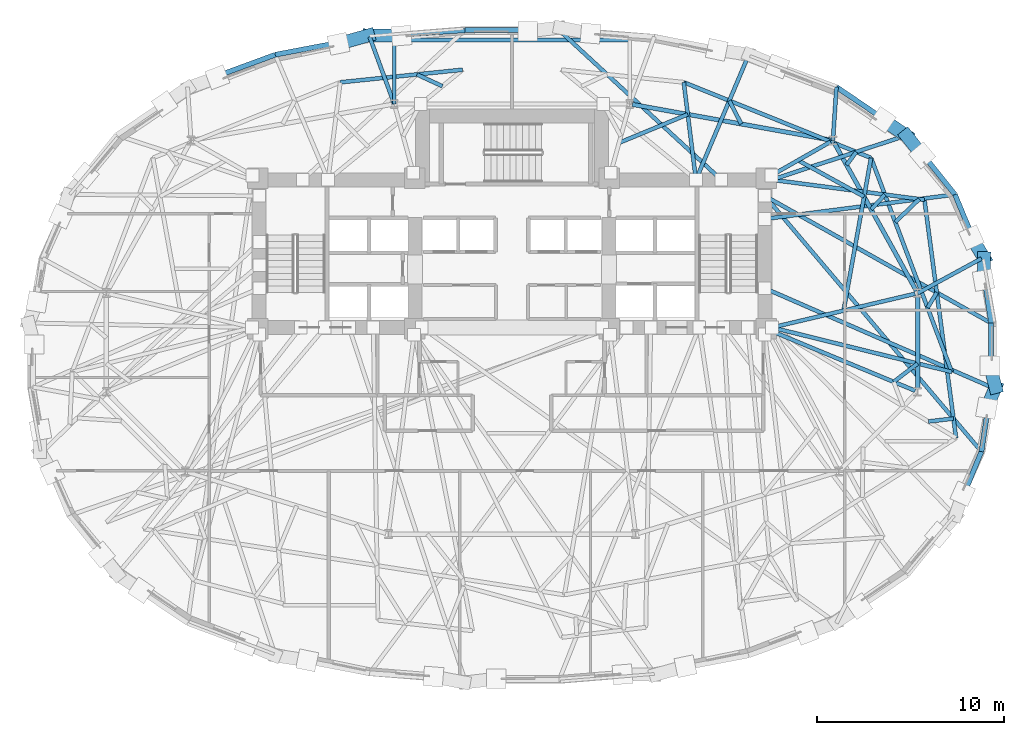
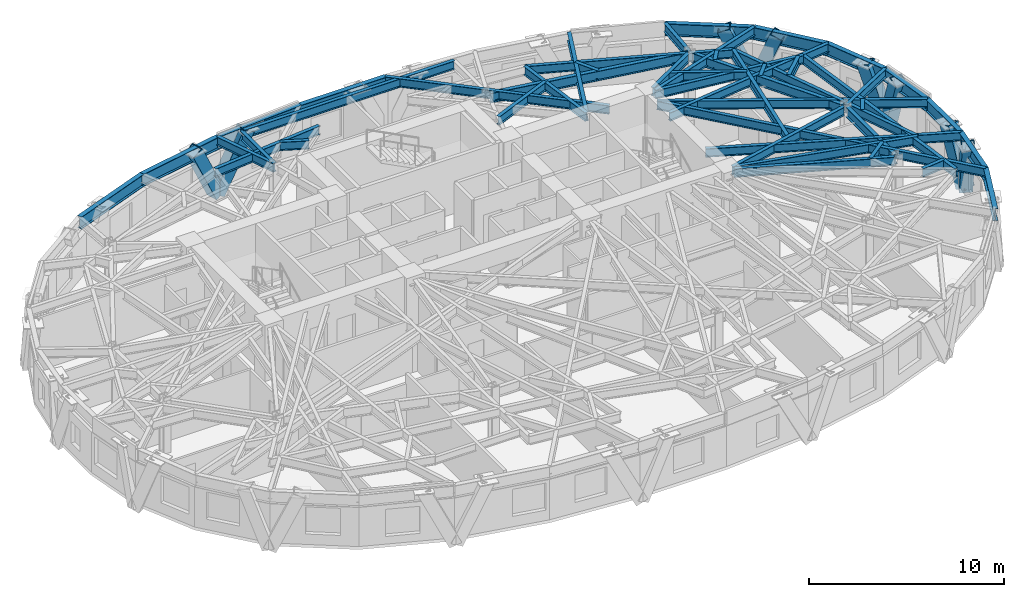
# One storey, part 4 of 14: 47 beams, 8 members.
"""IFC4 building model written with IfcOpenShell, lengths in metres."""

from ifc_helpers import new_model, si_unit, direction, frame, origin, origin_2d, place, context, subcontext, project, spatial, hollow_rectangle, i_section, extrude, material, material_profile, profile_set, type_object, element, save


model = new_model("IFC4")

# Units and contexts
model_context = context("Model", 3, precision=1e-05, world=origin(), true_north=direction((0.0, 1.0)))
body_context = subcontext(model_context, "Body", "Model", "MODEL_VIEW")
ifc_project = project(units=[si_unit("LENGTHUNIT", "METRE"), si_unit("AREAUNIT", "SQUARE_METRE"), si_unit("VOLUMEUNIT", "CUBIC_METRE"), si_unit("PLANEANGLEUNIT", "RADIAN"), si_unit("MASSUNIT", "GRAM", prefix="KILO")], contexts=[model_context])

# Site, building, storey
site_placement = place(None, origin())
site = spatial("IfcSite", under=ifc_project, at=site_placement, CompositionType="ELEMENT")
building_placement = place(site_placement, origin())
building = spatial("IfcBuilding", under=site, at=building_placement, Name="Keldmark Tower", CompositionType="ELEMENT")
storey_placement = place(building_placement, frame((0.0, 0.0, 124.60009765625)))
storey = spatial("IfcBuildingStorey", under=building, at=storey_placement, Name="L33", CompositionType="ELEMENT", Elevation=124.60009765625)

# Members
ifc_material_1 = material(Name="Steel ASTM A572 Grade 50", Category="steel")
ifc_material_profile_1 = material_profile(ifc_material_1, hollow_rectangle(XDim=0.699951171875, YDim=0.699951171875, WallThickness=0.044921875, at=origin_2d()), Name="BOX700X700X45")
ifc_profile_set_1 = profile_set([ifc_material_profile_1], Name="Steel ASTM A572 Grade 50")
member_type = type_object("IfcMemberType", Name="Diagrid Zone 2 Brace BOX700X700X45", PredefinedType="BRACE", material=ifc_profile_set_1)
member_1_placement = place(storey_placement, frame((25.2529296875, 5.2001953125, -0.27001953125), z_axis=(-0.008138331931, -0.325866815426, 0.94538065675), x_axis=(0.999688285196, -0.02496662657, 0.0)))
element("IfcMember", 1, at=member_1_placement, inside=storey, type_object=member_type, Name="L33 Perimeter Diagrid Brace 01A", PredefinedType="BRACE", context=body_context, shape_type="SweptSolid", body=[
    extrude(hollow_rectangle(XDim=0.699951171875, YDim=0.699951171875, WallThickness=0.044921875, at=origin_2d()), origin(), (0.0, 0.0, 1.0), 3.659912109375),
])
member_2_placement = place(storey_placement, frame((25.25537109375, 5.188720703125, -0.27001953125), z_axis=(-0.182553399139, 0.297731965347, 0.937032514523), x_axis=(-0.852508727076, -0.52271299033, 0.0)))
element("IfcMember", 2, at=member_2_placement, inside=storey, type_object=member_type, Name="L33 Perimeter Diagrid Brace 01B", PredefinedType="BRACE", context=body_context, shape_type="SweptSolid", body=[
    extrude(hollow_rectangle(XDim=0.699951171875, YDim=0.699951171875, WallThickness=0.044921875, at=origin_2d()), origin(), (0.0, 0.0, 1.0), 3.6923828125),
])
member_3_placement = place(storey_placement, frame((21.100341796875, 11.74169921875, -0.27001953125), z_axis=(0.226834492266, -0.28602298851, 0.93098709076), x_axis=(0.783512784352, 0.621375664761, 0.0)))
element("IfcMember", 3, at=member_3_placement, inside=storey, type_object=member_type, Name="L33 Perimeter Diagrid Brace 02A", PredefinedType="BRACE", context=body_context, shape_type="SweptSolid", body=[
    extrude(hollow_rectangle(XDim=0.699951171875, YDim=0.699951171875, WallThickness=0.044921875, at=origin_2d()), origin(), (0.0, 0.0, 1.0), 3.716552734375),
])
member_4_placement = place(storey_placement, frame((21.10693359375, 11.73193359375, -0.27001953125), z_axis=(-0.335688089011, 0.225727976809, 0.914527412045), x_axis=(-0.558008953793, -0.829834927854, 0.0)))
element("IfcMember", 4, at=member_4_placement, inside=storey, type_object=member_type, Name="L33 Perimeter Diagrid Brace 02B", PredefinedType="BRACE", context=body_context, shape_type="SweptSolid", body=[
    extrude(hollow_rectangle(XDim=0.699951171875, YDim=0.699951171875, WallThickness=0.044921875, at=origin_2d()), origin(), (0.0, 0.0, 1.0), 3.783447265625),
])
member_5_placement = place(storey_placement, frame((-7.672607421875, 17.102294921875, -0.27001953125), z_axis=(0.453185587123, -0.005157698563, 0.891401268661), x_axis=(0.011380248427, 0.999935242876, 0.0)))
element("IfcMember", 5, at=member_5_placement, inside=storey, type_object=member_type, Name="L33 Perimeter Diagrid Brace 05A", PredefinedType="BRACE", context=body_context, shape_type="SweptSolid", body=[
    extrude(hollow_rectangle(XDim=0.699951171875, YDim=0.699951171875, WallThickness=0.044921875, at=origin_2d()), origin(), (0.0, 0.0, 1.0), 3.881591796875),
])
member_6_placement = place(storey_placement, frame((-7.6611328125, 17.1044921875, -0.27001953125), z_axis=(-0.421325777377, -0.118638639315, 0.899115933893), x_axis=(0.271043582682, -0.962567076253, 0.0)))
element("IfcMember", 6, at=member_6_placement, inside=storey, type_object=member_type, Name="L33 Perimeter Diagrid Brace 05B", PredefinedType="BRACE", context=body_context, shape_type="SweptSolid", body=[
    extrude(hollow_rectangle(XDim=0.699951171875, YDim=0.699951171875, WallThickness=0.044921875, at=origin_2d()), origin(), (0.0, 0.0, 1.0), 3.84814453125),
])
member_7_placement = place(storey_placement, frame((25.86767578125, -1.7138671875, -0.27001953125), z_axis=(-0.128175440541, -0.308166484705, 0.94265819582), x_axis=(0.923318485123, -0.384035122131, 0.0)))
element("IfcMember", 7, at=member_7_placement, inside=storey, type_object=member_type, Name="L33 Perimeter Diagrid Brace 16A", PredefinedType="BRACE", context=body_context, shape_type="SweptSolid", body=[
    extrude(hollow_rectangle(XDim=0.699951171875, YDim=0.699951171875, WallThickness=0.044921875, at=origin_2d()), origin(), (0.0, 0.0, 1.0), 3.67041015625),
])
member_8_placement = place(storey_placement, frame((25.865478515625, -1.725341796875, -0.27001953125), z_axis=(-0.081542151597, 0.317034285237, 0.944902185148), x_axis=(-0.9684788952, -0.249095623308, 0.0)))
element("IfcMember", 8, at=member_8_placement, inside=storey, type_object=member_type, Name="L33 Perimeter Diagrid Brace 16B", PredefinedType="BRACE", context=body_context, shape_type="SweptSolid", body=[
    extrude(hollow_rectangle(XDim=0.699951171875, YDim=0.699951171875, WallThickness=0.044921875, at=origin_2d()), origin(), (0.0, 0.0, 1.0), 3.66162109375),
])

# Beams
ifc_material_2 = material(Name="Steel ASTM A992 Grade 50", Category="steel")
ifc_material_profile_2 = material_profile(ifc_material_2, i_section(OverallWidth=0.22900390625, OverallDepth=0.612060546875, WebThickness=0.011962890625, FlangeThickness=0.01953125, at=origin_2d()), Name="W24X84")
ifc_profile_set_2 = profile_set([ifc_material_profile_2], Name="Steel ASTM A992 Grade 50")
beam_type_1 = type_object("IfcBeamType", Name="Primary Floor Girder W24X84", PredefinedType="BEAM", material=ifc_profile_set_2)
beam_1_placement = place(storey_placement, frame((21.62890625, 3.432373046875, 3.00390625), z_axis=(-0.484951836703, 0.874540860154, 0.0), x_axis=(-0.874540860154, -0.484951836703, 0.0)))
element("IfcBeam", 9, at=beam_1_placement, inside=storey, type_object=beam_type_1, Name="L33 Floor Ring Girder FG-R01", PredefinedType="BEAM", context=body_context, shape_type="SweptSolid", body=[
    extrude(i_section(OverallWidth=0.22900390625, OverallDepth=0.612060546875, WebThickness=0.011962890625, FlangeThickness=0.01953125, at=origin_2d()), origin(), (0.0, 0.0, 1.0), 9.060302734375),
])
beam_2_placement = place(storey_placement, frame((17.029296875, 11.503173828125, 3.00390625), z_axis=(-0.984218266992, 0.176958760505, 0.0), x_axis=(-0.176958760505, -0.984218266992, 0.0)))
element("IfcBeam", 10, at=beam_2_placement, inside=storey, type_object=beam_type_1, Name="L33 Floor Ring Girder FG-R02", PredefinedType="BEAM", context=body_context, shape_type="SweptSolid", body=[
    extrude(i_section(OverallWidth=0.22900390625, OverallDepth=0.612060546875, WebThickness=0.011962890625, FlangeThickness=0.01953125, at=origin_2d()), origin(), (0.0, 0.0, 1.0), 10.7626953125),
])
beam_3_placement = place(storey_placement, frame((21.697021484375, -1.825927734375, 3.00390625), z_axis=(0.0, 1.0, 0.0), x_axis=(-1.0, 0.0, 0.0)))
element("IfcBeam", 11, at=beam_3_placement, inside=storey, type_object=beam_type_1, Name="L33 Floor Ring Girder FG-R12", PredefinedType="BEAM", context=body_context, shape_type="SweptSolid", body=[
    extrude(i_section(OverallWidth=0.22900390625, OverallDepth=0.612060546875, WebThickness=0.011962890625, FlangeThickness=0.01953125, at=origin_2d()), origin(), (0.0, 0.0, 1.0), 4.995849609375),
])
ifc_material_3 = material(Name="Steel ASTM A992 Grade 50", Category="steel")
ifc_material_profile_3 = material_profile(ifc_material_3, i_section(OverallWidth=0.2099609375, OverallDepth=0.537109375, WebThickness=0.010986328125, FlangeThickness=0.017333984375, at=origin_2d()), Name="W21X68")
ifc_profile_set_3 = profile_set([ifc_material_profile_3], Name="Steel ASTM A992 Grade 50")
beam_type_2 = type_object("IfcBeamType", Name="Radial Tie Girder W21X68", PredefinedType="BEAM", material=ifc_profile_set_3)
beam_4_placement = place(storey_placement, frame((21.560546875, 3.27783203125, 3.04150390625), z_axis=(-0.973283778272, -0.229605502879, 0.0), x_axis=(0.229605502879, -0.973283778272, 0.0)))
element("IfcBeam", 12, at=beam_4_placement, inside=storey, type_object=beam_type_2, Name="L33 Floor Radial Girder FG-C01", PredefinedType="BEAM", context=body_context, shape_type="SweptSolid", body=[
    extrude(i_section(OverallWidth=0.2099609375, OverallDepth=0.537109375, WebThickness=0.010986328125, FlangeThickness=0.017333984375, at=origin_2d()), origin(), (0.0, 0.0, 1.0), 7.85888671875),
])
beam_5_placement = place(storey_placement, frame((17.04541015625, 11.4091796875, 3.04150390625), z_axis=(-0.86928447329, -0.494312152892, 0.0), x_axis=(0.494312152892, -0.86928447329, 0.0)))
element("IfcBeam", 13, at=beam_5_placement, inside=storey, type_object=beam_type_2, Name="L33 Floor Radial Girder FG-C02", PredefinedType="BEAM", context=body_context, shape_type="SweptSolid", body=[
    extrude(i_section(OverallWidth=0.2099609375, OverallDepth=0.537109375, WebThickness=0.010986328125, FlangeThickness=0.017333984375, at=origin_2d()), origin(), (0.0, 0.0, 1.0), 3.6435546875),
])
beam_6_placement = place(storey_placement, frame((21.567626953125, -1.912109375, 3.04150390625), z_axis=(-0.923397393633, 0.383845350932, 0.0), x_axis=(-0.383845350932, -0.923397393633, 0.0)))
element("IfcBeam", 14, at=beam_6_placement, inside=storey, type_object=beam_type_2, Name="L33 Floor Radial Girder FG-C12", PredefinedType="BEAM", context=body_context, shape_type="SweptSolid", body=[
    extrude(i_section(OverallWidth=0.2099609375, OverallDepth=0.537109375, WebThickness=0.010986328125, FlangeThickness=0.017333984375, at=origin_2d()), origin(), (0.0, 0.0, 1.0), 8.30859375),
])
beam_7_placement = place(storey_placement, frame((15.303466796875, 10.418701171875, 3.04150390625), z_axis=(0.875866476155, -0.482553536873, 0.0), x_axis=(0.482553536873, 0.875866476155, 0.0)))
element("IfcBeam", 15, at=beam_7_placement, inside=storey, type_object=beam_type_2, Name="L33 Framing Pin Header PH-001", PredefinedType="BEAM", context=body_context, shape_type="SweptSolid", body=[
    extrude(i_section(OverallWidth=0.2099609375, OverallDepth=0.537109375, WebThickness=0.010986328125, FlangeThickness=0.017333984375, at=origin_2d()), origin(), (0.0, 0.0, 1.0), 4.02978515625),
])
beam_8_placement = place(storey_placement, frame((17.736083984375, 2.375732421875, 3.04150390625), z_axis=(0.177042471135, 0.984203212459, 0.0), x_axis=(-0.984203212459, 0.177042471135, 0.0)))
element("IfcBeam", 16, at=beam_8_placement, inside=storey, type_object=beam_type_2, Name="L33 Sub-Ring Step Girder STP1-M01", PredefinedType="BEAM", context=body_context, shape_type="SweptSolid", body=[
    extrude(i_section(OverallWidth=0.2099609375, OverallDepth=0.537109375, WebThickness=0.010986328125, FlangeThickness=0.017333984375, at=origin_2d()), origin(), (0.0, 0.0, 1.0), 8.301513671875),
])
beam_9_placement = place(storey_placement, frame((5.724609375, 11.35107421875, 3.04150390625), z_axis=(0.923882292998, 0.382676767893, 0.0), x_axis=(-0.382676767893, 0.923882292998, 0.0)))
element("IfcBeam", 17, at=beam_9_placement, inside=storey, type_object=beam_type_2, Name="L33 Framing Pin Header PH-002", PredefinedType="BEAM", context=body_context, shape_type="SweptSolid", body=[
    extrude(i_section(OverallWidth=0.2099609375, OverallDepth=0.537109375, WebThickness=0.010986328125, FlangeThickness=0.017333984375, at=origin_2d()), origin(), (0.0, 0.0, 1.0), 3.98095703125),
])
beam_10_placement = place(storey_placement, frame((9.83935546875, 9.375, 3.04150390625), z_axis=(-0.123828856839, 0.992303589741, 0.0), x_axis=(-0.992303589741, -0.123828856839, 0.0)))
element("IfcBeam", 18, at=beam_10_placement, inside=storey, type_object=beam_type_2, Name="L33 Sub-Ring Step Girder STP1-M02", PredefinedType="BEAM", context=body_context, shape_type="SweptSolid", body=[
    extrude(i_section(OverallWidth=0.2099609375, OverallDepth=0.537109375, WebThickness=0.010986328125, FlangeThickness=0.017333984375, at=origin_2d()), origin(), (0.0, 0.0, 1.0), 5.25439453125),
])
beam_11_placement = place(storey_placement, frame((20.416748046875, -1.433837890625, 3.04150390625), z_axis=(0.793489446427, 0.608584010971, 0.0), x_axis=(-0.608584010971, 0.793489446427, 0.0)))
element("IfcBeam", 19, at=beam_11_placement, inside=storey, type_object=beam_type_2, Name="L33 Framing Pin Header PH-008", PredefinedType="BEAM", context=body_context, shape_type="SweptSolid", body=[
    extrude(i_section(OverallWidth=0.2099609375, OverallDepth=0.537109375, WebThickness=0.010986328125, FlangeThickness=0.017333984375, at=origin_2d()), origin(), (0.0, 0.0, 1.0), 1.613525390625),
])
beam_12_placement = place(storey_placement, frame((13.89990234375, 1.47509765625, 3.04150390625), z_axis=(0.970797871066, -0.239898923579, 0.0), x_axis=(0.239898923579, 0.970797871066, 0.0)))
element("IfcBeam", 20, at=beam_12_placement, inside=storey, type_object=beam_type_2, Name="L33 Sub-Ring Step Girder STP1-M12", PredefinedType="BEAM", context=body_context, shape_type="SweptSolid", body=[
    extrude(i_section(OverallWidth=0.2099609375, OverallDepth=0.537109375, WebThickness=0.010986328125, FlangeThickness=0.017333984375, at=origin_2d()), origin(), (0.0, 0.0, 1.0), 9.916259765625),
])
beam_13_placement = place(storey_placement, frame((19.205810546875, 10.546142578125, 3.04150390625), z_axis=(-0.927326627056, 0.374253025041, 0.0), x_axis=(-0.374253025041, -0.927326627056, 0.0)))
element("IfcBeam", 21, at=beam_13_placement, inside=storey, type_object=beam_type_2, Name="L33 Perimeter Collector Ring Beam CRG1-M01", PredefinedType="BEAM", context=body_context, shape_type="SweptSolid", body=[
    extrude(i_section(OverallWidth=0.2099609375, OverallDepth=0.537109375, WebThickness=0.010986328125, FlangeThickness=0.017333984375, at=origin_2d()), origin(), (0.0, 0.0, 1.0), 10.802001953125),
])
beam_14_placement = place(storey_placement, frame((-2.642578125, 15.261962890625, 3.04150390625), z_axis=(-0.994755240568, -0.102283974126, 0.0), x_axis=(0.102283974126, -0.994755240568, 0.0)))
element("IfcBeam", 22, at=beam_14_placement, inside=storey, type_object=beam_type_2, Name="L33 Perimeter Collector Ring Beam CRG1-M04", PredefinedType="BEAM", context=body_context, shape_type="SweptSolid", body=[
    extrude(i_section(OverallWidth=0.2099609375, OverallDepth=0.537109375, WebThickness=0.010986328125, FlangeThickness=0.017333984375, at=origin_2d()), origin(), (0.0, 0.0, 1.0), 6.58056640625),
])
beam_15_placement = place(storey_placement, frame((23.526611328125, -0.90380859375, 3.04150390625), z_axis=(-0.353061865189, 0.935599978275, 0.0), x_axis=(-0.935599978275, -0.353061865189, 0.0)))
element("IfcBeam", 23, at=beam_15_placement, inside=storey, type_object=beam_type_2, Name="L33 Perimeter Collector Ring Beam CRG1-M12", PredefinedType="BEAM", context=body_context, shape_type="SweptSolid", body=[
    extrude(i_section(OverallWidth=0.2099609375, OverallDepth=0.537109375, WebThickness=0.010986328125, FlangeThickness=0.017333984375, at=origin_2d()), origin(), (0.0, 0.0, 1.0), 12.238037109375),
])
beam_16_placement = place(storey_placement, frame((19.21240234375, 7.790283203125, 3.04150390625), z_axis=(0.68016493215, 0.733059114311, 0.0), x_axis=(-0.733059114311, 0.68016493215, 0.0)))
element("IfcBeam", 24, at=beam_16_placement, inside=storey, type_object=beam_type_2, Name="L33 Framing Pin Header PH-009", PredefinedType="BEAM", context=body_context, shape_type="SweptSolid", body=[
    extrude(i_section(OverallWidth=0.2099609375, OverallDepth=0.537109375, WebThickness=0.010986328125, FlangeThickness=0.017333984375, at=origin_2d()), origin(), (0.0, 0.0, 1.0), 1.080078125),
])
beam_17_placement = place(storey_placement, frame((13.89990234375, 9.375, 3.04150390625), z_axis=(0.991513040257, -0.130007272872, 0.0), x_axis=(0.130007272872, 0.991513040257, 0.0)))
element("IfcBeam", 25, at=beam_17_placement, inside=storey, type_object=beam_type_2, Name="L33 Sub-Ring Step Girder STP2-M01", PredefinedType="BEAM", context=body_context, shape_type="SweptSolid", body=[
    extrude(i_section(OverallWidth=0.2099609375, OverallDepth=0.537109375, WebThickness=0.010986328125, FlangeThickness=0.017333984375, at=origin_2d()), origin(), (0.0, 0.0, 1.0), 8.232666015625),
])
beam_18_placement = place(storey_placement, frame((23.753173828125, -4.43896484375, 3.04150390625), z_axis=(-0.13149691555, 0.991316579706, 0.0), x_axis=(-0.991316579706, -0.13149691555, 0.0)))
element("IfcBeam", 26, at=beam_18_placement, inside=storey, type_object=beam_type_2, Name="L33 Perimeter Collector Ring Beam CRG2-M12", PredefinedType="BEAM", context=body_context, shape_type="SweptSolid", body=[
    extrude(i_section(OverallWidth=0.2099609375, OverallDepth=0.537109375, WebThickness=0.010986328125, FlangeThickness=0.017333984375, at=origin_2d()), origin(), (0.0, 0.0, 1.0), 12.855224609375),
])
beam_19_placement = place(storey_placement, frame((22.230224609375, 2.531005859375, 3.04150390625), z_axis=(0.516232958212, 0.856448207924, 0.0), x_axis=(-0.856448207924, 0.516232958212, 0.0)))
element("IfcBeam", 27, at=beam_19_placement, inside=storey, type_object=beam_type_2, Name="L33 Framing Pin Header PH-014", PredefinedType="BEAM", context=body_context, shape_type="SweptSolid", body=[
    extrude(i_section(OverallWidth=0.2099609375, OverallDepth=0.537109375, WebThickness=0.010986328125, FlangeThickness=0.017333984375, at=origin_2d()), origin(), (0.0, 0.0, 1.0), 0.9501953125),
])
beam_20_placement = place(storey_placement, frame((13.52490234375, 8.514404296875, 3.04150390625), z_axis=(0.871695741817, -0.490047481066, 0.0), x_axis=(0.490047481066, 0.871695741817, 0.0)))
element("IfcBeam", 28, at=beam_20_placement, inside=storey, type_object=beam_type_2, Name="L33 Perimeter Radial Tie Girder RT-01", PredefinedType="BEAM", context=body_context, shape_type="SweptSolid", body=[
    extrude(i_section(OverallWidth=0.2099609375, OverallDepth=0.537109375, WebThickness=0.010986328125, FlangeThickness=0.017333984375, at=origin_2d()), origin(), (0.0, 0.0, 1.0), 13.8828125),
])
beam_21_placement = place(storey_placement, frame((21.697021484375, 3.309814453125, 3.04150390625), z_axis=(0.878689267089, 0.477394147327, 0.0), x_axis=(-0.477394147327, 0.878689267089, 0.0)))
element("IfcBeam", 29, at=beam_21_placement, inside=storey, type_object=beam_type_2, Name="L33 Perimeter Column Bracket RT-02", PredefinedType="BEAM", context=body_context, shape_type="SweptSolid", body=[
    extrude(i_section(OverallWidth=0.2099609375, OverallDepth=0.537109375, WebThickness=0.010986328125, FlangeThickness=0.017333984375, at=origin_2d()), origin(), (0.0, 0.0, 1.0), 3.885009765625),
])
beam_22_placement = place(storey_placement, frame((20.501953125, 7.111083984375, 3.04150390625), z_axis=(0.721455970368, 0.692460311368, 0.0), x_axis=(-0.692460311368, 0.721455970368, 0.0)))
element("IfcBeam", 30, at=beam_22_placement, inside=storey, type_object=beam_type_2, Name="L33 Framing Pin Header PH-015", PredefinedType="BEAM", context=body_context, shape_type="SweptSolid", body=[
    extrude(i_section(OverallWidth=0.2099609375, OverallDepth=0.537109375, WebThickness=0.010986328125, FlangeThickness=0.017333984375, at=origin_2d()), origin(), (0.0, 0.0, 1.0), 1.776611328125),
])
beam_23_placement = place(storey_placement, frame((13.52490234375, 7.278564453125, 3.04150390625), z_axis=(0.991825274244, 0.127603390903, 0.0), x_axis=(-0.127603390903, 0.991825274244, 0.0)))
element("IfcBeam", 31, at=beam_23_placement, inside=storey, type_object=beam_type_2, Name="L33 Perimeter Radial Tie Girder RT-03", PredefinedType="BEAM", context=body_context, shape_type="SweptSolid", body=[
    extrude(i_section(OverallWidth=0.2099609375, OverallDepth=0.537109375, WebThickness=0.010986328125, FlangeThickness=0.017333984375, at=origin_2d()), origin(), (0.0, 0.0, 1.0), 10.253173828125),
])
beam_24_placement = place(storey_placement, frame((17.89404296875, 10.16748046875, 3.04150390625), z_axis=(0.598473992641, 0.801142234645, 0.0), x_axis=(-0.801142234645, 0.598473992641, 0.0)))
element("IfcBeam", 32, at=beam_24_placement, inside=storey, type_object=beam_type_2, Name="L33 Framing Pin Header PH-016", PredefinedType="BEAM", context=body_context, shape_type="SweptSolid", body=[
    extrude(i_section(OverallWidth=0.2099609375, OverallDepth=0.537109375, WebThickness=0.010986328125, FlangeThickness=0.017333984375, at=origin_2d()), origin(), (0.0, 0.0, 1.0), 0.870849609375),
])
beam_25_placement = place(storey_placement, frame((13.89990234375, 9.375, 3.04150390625), z_axis=(0.949610083741, 0.313433707276, 0.0), x_axis=(-0.313433707276, 0.949610083741, 0.0)))
element("IfcBeam", 33, at=beam_25_placement, inside=storey, type_object=beam_type_2, Name="L33 Perimeter Radial Tie Girder RT-04", PredefinedType="BEAM", context=body_context, shape_type="SweptSolid", body=[
    extrude(i_section(OverallWidth=0.2099609375, OverallDepth=0.537109375, WebThickness=0.010986328125, FlangeThickness=0.017333984375, at=origin_2d()), origin(), (0.0, 0.0, 1.0), 7.6318359375),
])
beam_26_placement = place(storey_placement, frame((17.1669921875, 11.478271484375, 3.04150390625), z_axis=(0.06567657355, 0.997840963123, 0.0), x_axis=(-0.997840963123, 0.06567657355, 0.0)))
element("IfcBeam", 34, at=beam_26_placement, inside=storey, type_object=beam_type_2, Name="L33 Perimeter Column Bracket RT-05", PredefinedType="BEAM", context=body_context, shape_type="SweptSolid", body=[
    extrude(i_section(OverallWidth=0.2099609375, OverallDepth=0.537109375, WebThickness=0.010986328125, FlangeThickness=0.017333984375, at=origin_2d()), origin(), (0.0, 0.0, 1.0), 2.865966796875),
])
beam_27_placement = place(storey_placement, frame((12.2626953125, 12.360107421875, 3.04150390625), z_axis=(-0.455295606258, 0.890340334323, 0.0), x_axis=(-0.890340334323, -0.455295606258, 0.0)))
element("IfcBeam", 35, at=beam_27_placement, inside=storey, type_object=beam_type_2, Name="L33 Framing Pin Header PH-017", PredefinedType="BEAM", context=body_context, shape_type="SweptSolid", body=[
    extrude(i_section(OverallWidth=0.2099609375, OverallDepth=0.537109375, WebThickness=0.010986328125, FlangeThickness=0.017333984375, at=origin_2d()), origin(), (0.0, 0.0, 1.0), 1.3984375),
])
beam_28_placement = place(storey_placement, frame((9.83935546875, 9.375, 3.04150390625), z_axis=(0.389053190492, 0.921215292409, 0.0), x_axis=(-0.921215292409, 0.389053190492, 0.0)))
element("IfcBeam", 36, at=beam_28_placement, inside=storey, type_object=beam_type_2, Name="L33 Perimeter Radial Tie Girder RT-06", PredefinedType="BEAM", context=body_context, shape_type="SweptSolid", body=[
    extrude(i_section(OverallWidth=0.2099609375, OverallDepth=0.537109375, WebThickness=0.010986328125, FlangeThickness=0.017333984375, at=origin_2d()), origin(), (0.0, 0.0, 1.0), 7.262451171875),
])
beam_29_placement = place(storey_placement, frame((11.19287109375, 9.375, 3.04150390625), z_axis=(-0.734892307756, 0.678183821689, 0.0), x_axis=(-0.678183821689, -0.734892307756, 0.0)))
element("IfcBeam", 37, at=beam_29_placement, inside=storey, type_object=beam_type_2, Name="L33 Perimeter Radial Tie Girder RT-08", PredefinedType="BEAM", context=body_context, shape_type="SweptSolid", body=[
    extrude(i_section(OverallWidth=0.2099609375, OverallDepth=0.537109375, WebThickness=0.010986328125, FlangeThickness=0.017333984375, at=origin_2d()), origin(), (0.0, 0.0, 1.0), 11.796142578125),
])
beam_30_placement = place(storey_placement, frame((-3.721923828125, 14.37890625, 3.04150390625), z_axis=(-0.907378596441, 0.420314266617, 0.0), x_axis=(-0.420314266617, -0.907378596441, 0.0)))
element("IfcBeam", 38, at=beam_30_placement, inside=storey, type_object=beam_type_2, Name="L33 Framing Pin Header PH-019", PredefinedType="BEAM", context=body_context, shape_type="SweptSolid", body=[
    extrude(i_section(OverallWidth=0.2099609375, OverallDepth=0.537109375, WebThickness=0.010986328125, FlangeThickness=0.017333984375, at=origin_2d()), origin(), (0.0, 0.0, 1.0), 1.503173828125),
])
beam_31_placement = place(storey_placement, frame((-6.298828125, 13.4326171875, 3.04150390625), z_axis=(-0.344487070848, 0.938791061962, 0.0), x_axis=(-0.938791061962, -0.344487070848, 0.0)))
element("IfcBeam", 39, at=beam_31_placement, inside=storey, type_object=beam_type_2, Name="L33 Perimeter Column Bracket RT-10", PredefinedType="BEAM", context=body_context, shape_type="SweptSolid", body=[
    extrude(i_section(OverallWidth=0.2099609375, OverallDepth=0.537109375, WebThickness=0.010986328125, FlangeThickness=0.017333984375, at=origin_2d()), origin(), (0.0, 0.0, 1.0), 3.826904296875),
])
beam_32_placement = place(storey_placement, frame((22.275146484375, -3.5517578125, 3.04150390625), z_axis=(0.993539088669, 0.113490436982, 0.0), x_axis=(-0.113490436982, 0.993539088669, 0.0)))
element("IfcBeam", 40, at=beam_32_placement, inside=storey, type_object=beam_type_2, Name="L33 Framing Pin Header PH-044", PredefinedType="BEAM", context=body_context, shape_type="SweptSolid", body=[
    extrude(i_section(OverallWidth=0.2099609375, OverallDepth=0.537109375, WebThickness=0.010986328125, FlangeThickness=0.017333984375, at=origin_2d()), origin(), (0.0, 0.0, 1.0), 1.348876953125),
])
beam_33_placement = place(storey_placement, frame((13.52490234375, 8.514404296875, 3.04150390625), z_axis=(0.646313969711, -0.763071590715, 0.0), x_axis=(0.763071590715, 0.646313969711, 0.0)))
element("IfcBeam", 41, at=beam_33_placement, inside=storey, type_object=beam_type_2, Name="L33 Perimeter Radial Tie Girder RT-31", PredefinedType="BEAM", context=body_context, shape_type="SweptSolid", body=[
    extrude(i_section(OverallWidth=0.2099609375, OverallDepth=0.537109375, WebThickness=0.010986328125, FlangeThickness=0.017333984375, at=origin_2d()), origin(), (0.0, 0.0, 1.0), 17.92626953125),
])
beam_34_placement = place(storey_placement, frame((13.52490234375, 3.5712890625, 3.04150390625), z_axis=(0.916489709858, -0.400058260414, 0.0), x_axis=(0.400058260414, 0.916489709858, 0.0)))
element("IfcBeam", 42, at=beam_34_placement, inside=storey, type_object=beam_type_2, Name="L33 Perimeter Radial Tie Girder RT-32", PredefinedType="BEAM", context=body_context, shape_type="SweptSolid", body=[
    extrude(i_section(OverallWidth=0.2099609375, OverallDepth=0.537109375, WebThickness=0.010986328125, FlangeThickness=0.017333984375, at=origin_2d()), origin(), (0.0, 0.0, 1.0), 13.204345703125),
])
beam_35_placement = place(storey_placement, frame((-6.298828125, 13.4326171875, 3.04150390625), z_axis=(0.0, 1.0, 0.0), x_axis=(-1.0, 0.0, 0.0)))
element("IfcBeam", 43, at=beam_35_placement, inside=storey, type_object=beam_type_2, Name="L33 North Column Cantilever Girder West FG-TCN-W", PredefinedType="BEAM", context=body_context, shape_type="SweptSolid", body=[
    extrude(i_section(OverallWidth=0.2099609375, OverallDepth=0.537109375, WebThickness=0.010986328125, FlangeThickness=0.017333984375, at=origin_2d()), origin(), (0.0, 0.0, 1.0), 3.42236328125),
])
beam_36_placement = place(storey_placement, frame((-6.298828125, 16.85498046875, 3.04150390625), z_axis=(1.0, 0.0, 0.0), x_axis=(0.0, 1.0, 0.0)))
element("IfcBeam", 44, at=beam_36_placement, inside=storey, type_object=beam_type_2, Name="L33 North Outer Header Girder FG-TCN-H1", PredefinedType="BEAM", context=body_context, shape_type="SweptSolid", body=[
    extrude(i_section(OverallWidth=0.2099609375, OverallDepth=0.537109375, WebThickness=0.010986328125, FlangeThickness=0.017333984375, at=origin_2d()), origin(), (0.0, 0.0, 1.0), 12.59765625),
])
ifc_material_4 = material(Name="Steel ASTM A992 Grade 50", Category="steel")
ifc_material_profile_4 = material_profile(ifc_material_4, i_section(OverallWidth=0.26806640625, OverallDepth=0.77001953125, WebThickness=0.015625, FlangeThickness=0.025390625, at=origin_2d()), Name="W30X132")
ifc_profile_set_4 = profile_set([ifc_material_profile_4], Name="Steel ASTM A992 Grade 50")
beam_type_3 = type_object("IfcBeamType", Name="Spandrel Ring Beam W30X132", PredefinedType="SPANDREL", material=ifc_profile_set_4)
beam_37_placement = place(storey_placement, frame((25.62646484375, 1.711181640625, 2.9248046875), z_axis=(-0.147673688434, 0.989036137734, 0.0), x_axis=(-0.989036137734, -0.147673688434, 0.0)))
element("IfcBeam", 45, at=beam_37_placement, inside=storey, type_object=beam_type_3, Name="L33 Perimeter Spandrel Ring Beam SRB-01", PredefinedType="SPANDREL", context=body_context, shape_type="SweptSolid", body=[
    extrude(i_section(OverallWidth=0.26806640625, OverallDepth=0.77001953125, WebThickness=0.015625, FlangeThickness=0.025390625, at=origin_2d()), origin(), (0.0, 0.0, 1.0), 3.49169921875),
])
beam_38_placement = place(storey_placement, frame((25.11083984375, 5.16455078125, 2.9248046875), z_axis=(-0.382433297136, 0.923983102249, 0.0), x_axis=(-0.923983102249, -0.382433297136, 0.0)))
element("IfcBeam", 46, at=beam_38_placement, inside=storey, type_object=beam_type_3, Name="L33 Perimeter Spandrel Ring Beam SRB-02", PredefinedType="SPANDREL", context=body_context, shape_type="SweptSolid", body=[
    extrude(i_section(OverallWidth=0.26806640625, OverallDepth=0.77001953125, WebThickness=0.015625, FlangeThickness=0.025390625, at=origin_2d()), origin(), (0.0, 0.0, 1.0), 3.703857421875),
])
beam_39_placement = place(storey_placement, frame((23.6943359375, 8.5869140625, 2.9248046875), z_axis=(-0.625140688788, 0.780512087813, 0.0), x_axis=(-0.780512087813, -0.625140688788, 0.0)))
element("IfcBeam", 47, at=beam_39_placement, inside=storey, type_object=beam_type_3, Name="L33 Perimeter Spandrel Ring Beam SRB-03", PredefinedType="SPANDREL", context=body_context, shape_type="SweptSolid", body=[
    extrude(i_section(OverallWidth=0.26806640625, OverallDepth=0.77001953125, WebThickness=0.015625, FlangeThickness=0.025390625, at=origin_2d()), origin(), (0.0, 0.0, 1.0), 4.074462890625),
])
beam_40_placement = place(storey_placement, frame((21.147216796875, 11.76708984375, 2.9248046875), z_axis=(-0.827687941294, 0.561188624116, 0.0), x_axis=(-0.561188624116, -0.827687941294, 0.0)))
element("IfcBeam", 48, at=beam_40_placement, inside=storey, type_object=beam_type_3, Name="L33 Perimeter Spandrel Ring Beam SRB-04", PredefinedType="SPANDREL", context=body_context, shape_type="SweptSolid", body=[
    extrude(i_section(OverallWidth=0.26806640625, OverallDepth=0.77001953125, WebThickness=0.015625, FlangeThickness=0.025390625, at=origin_2d()), origin(), (0.0, 0.0, 1.0), 4.58154296875),
])
beam_41_placement = place(storey_placement, frame((2.52392578125, 17.375, 2.9248046875), z_axis=(-1.0, 0.0, 0.0), x_axis=(0.0, -1.0, 0.0)))
element("IfcBeam", 49, at=beam_41_placement, inside=storey, type_object=beam_type_3, Name="L33 Perimeter Spandrel Ring Beam SRB-08", PredefinedType="SPANDREL", context=body_context, shape_type="SweptSolid", body=[
    extrude(i_section(OverallWidth=0.26806640625, OverallDepth=0.77001953125, WebThickness=0.015625, FlangeThickness=0.025390625, at=origin_2d()), origin(), (0.0, 0.0, 1.0), 5.0478515625),
])
beam_42_placement = place(storey_placement, frame((-2.52392578125, 17.375, 2.9248046875), z_axis=(-0.997652461218, -0.068480410529, 0.0), x_axis=(0.068480410529, -0.997652461218, 0.0)))
element("IfcBeam", 50, at=beam_42_placement, inside=storey, type_object=beam_type_3, Name="L33 Perimeter Spandrel Ring Beam SRB-09", PredefinedType="SPANDREL", context=body_context, shape_type="SweptSolid", body=[
    extrude(i_section(OverallWidth=0.26806640625, OverallDepth=0.77001953125, WebThickness=0.015625, FlangeThickness=0.025390625, at=origin_2d()), origin(), (0.0, 0.0, 1.0), 5.105224609375),
])
beam_43_placement = place(storey_placement, frame((-7.6171875, 17.025390625, 2.9248046875), z_axis=(-0.982383038938, -0.186878476041, 0.0), x_axis=(0.186878476041, -0.982383038938, 0.0)))
element("IfcBeam", 51, at=beam_43_placement, inside=storey, type_object=beam_type_3, Name="L33 Perimeter Spandrel Ring Beam SRB-10", PredefinedType="SPANDREL", context=body_context, shape_type="SweptSolid", body=[
    extrude(i_section(OverallWidth=0.26806640625, OverallDepth=0.77001953125, WebThickness=0.015625, FlangeThickness=0.025390625, at=origin_2d()), origin(), (0.0, 0.0, 1.0), 5.13818359375),
])
beam_44_placement = place(storey_placement, frame((-12.664794921875, 16.065185546875, 2.9248046875), z_axis=(-0.938408147313, -0.345528796278, 0.0), x_axis=(0.345528796278, -0.938408147313, 0.0)))
element("IfcBeam", 52, at=beam_44_placement, inside=storey, type_object=beam_type_3, Name="L33 Perimeter Spandrel Ring Beam SRB-11", PredefinedType="SPANDREL", context=body_context, shape_type="SweptSolid", body=[
    extrude(i_section(OverallWidth=0.26806640625, OverallDepth=0.77001953125, WebThickness=0.015625, FlangeThickness=0.025390625, at=origin_2d()), origin(), (0.0, 0.0, 1.0), 4.998291015625),
])
beam_45_placement = place(storey_placement, frame((23.6943359375, -8.5869140625, 2.9248046875), z_axis=(0.382433297136, 0.923983102249, 0.0), x_axis=(-0.923983102249, 0.382433297136, 0.0)))
element("IfcBeam", 53, at=beam_45_placement, inside=storey, type_object=beam_type_3, Name="L33 Perimeter Spandrel Ring Beam SRB-30", PredefinedType="SPANDREL", context=body_context, shape_type="SweptSolid", body=[
    extrude(i_section(OverallWidth=0.26806640625, OverallDepth=0.77001953125, WebThickness=0.015625, FlangeThickness=0.025390625, at=origin_2d()), origin(), (0.0, 0.0, 1.0), 3.703857421875),
])
beam_46_placement = place(storey_placement, frame((25.11083984375, -5.16455078125, 2.9248046875), z_axis=(0.147673688434, 0.989036137734, 0.0), x_axis=(-0.989036137734, 0.147673688434, 0.0)))
element("IfcBeam", 54, at=beam_46_placement, inside=storey, type_object=beam_type_3, Name="L33 Perimeter Spandrel Ring Beam SRB-31", PredefinedType="SPANDREL", context=body_context, shape_type="SweptSolid", body=[
    extrude(i_section(OverallWidth=0.26806640625, OverallDepth=0.77001953125, WebThickness=0.015625, FlangeThickness=0.025390625, at=origin_2d()), origin(), (0.0, 0.0, 1.0), 3.49169921875),
])
beam_47_placement = place(storey_placement, frame((25.62646484375, -1.711181640625, 2.9248046875), z_axis=(0.0, 1.0, 0.0), x_axis=(-1.0, 0.0, 0.0)))
element("IfcBeam", 55, at=beam_47_placement, inside=storey, type_object=beam_type_3, Name="L33 Perimeter Spandrel Ring Beam SRB-32", PredefinedType="SPANDREL", context=body_context, shape_type="SweptSolid", body=[
    extrude(i_section(OverallWidth=0.26806640625, OverallDepth=0.77001953125, WebThickness=0.015625, FlangeThickness=0.025390625, at=origin_2d()), origin(), (0.0, 0.0, 1.0), 3.42236328125),
])

save(model, "model.ifc")
